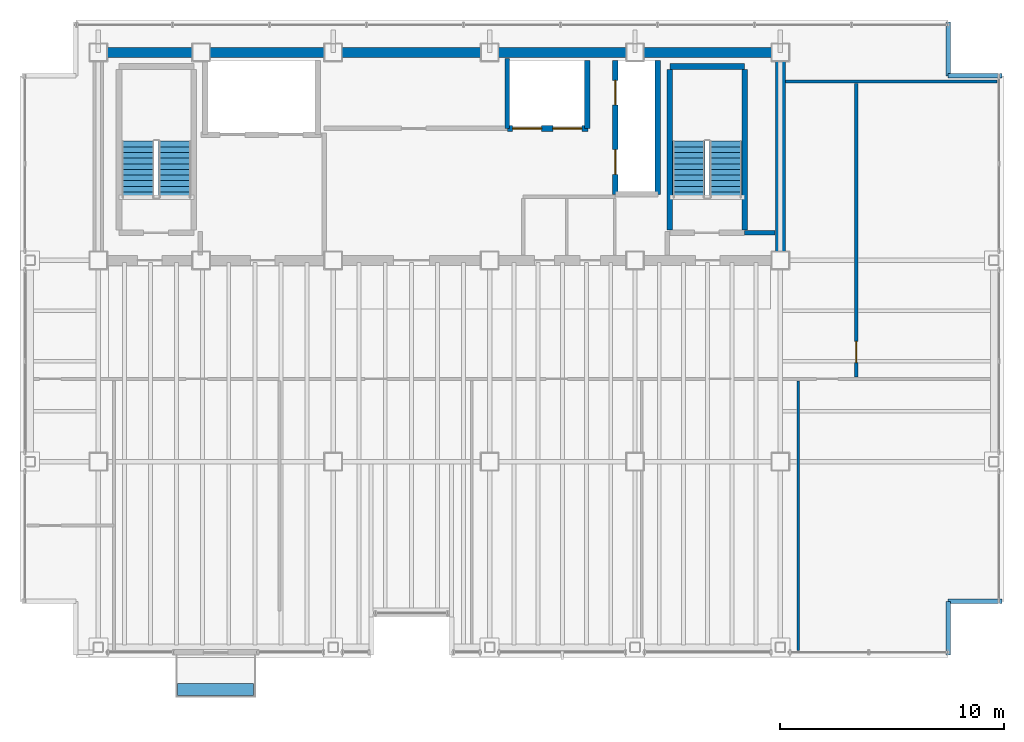
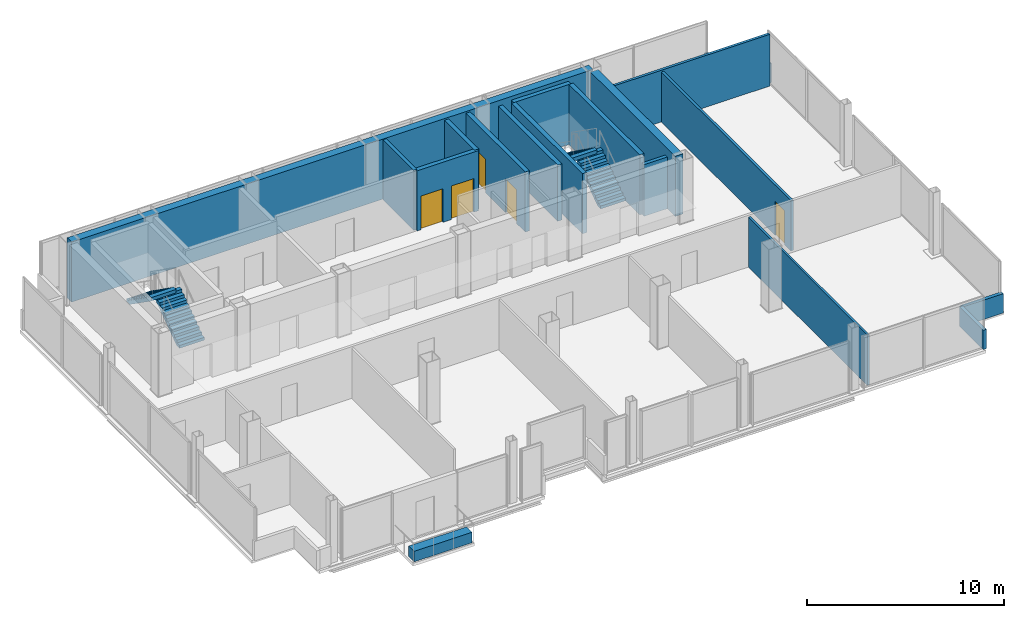
# One storey, part 14 of 15: 18 walls, 5 doors, 4 stair flights, 1 discrete accessory, 5 openings, 2 elements without a shape of their own.
"""IFC4 building model written with IfcOpenShell, lengths in metres."""

from ifc_helpers import new_model, si_unit, direction, frame, frame_2d, origin, origin_2d, place, context, subcontext, project, spatial, polyline, rectangle, outline, extrude, material, layer, layer_set, type_object, element, fill, aggregate, save


model = new_model("IFC4")

# Units and contexts
model_context = context("Model", 3, precision=1e-05, world=origin(), true_north=direction((0.0, 1.0)))
body_context = subcontext(model_context, "Body", "Model", "MODEL_VIEW")
ifc_project = project(units=[si_unit("LENGTHUNIT", "METRE"), si_unit("AREAUNIT", "SQUARE_METRE"), si_unit("VOLUMEUNIT", "CUBIC_METRE"), si_unit("PLANEANGLEUNIT", "RADIAN"), si_unit("MASSUNIT", "GRAM", prefix="KILO")], contexts=[model_context])

# Site, building, storey
site_placement = place(None, origin())
site = spatial("IfcSite", under=ifc_project, at=site_placement, CompositionType="ELEMENT")
building_placement = place(site_placement, origin())
building = spatial("IfcBuilding", under=site, at=building_placement, Name="Noeulbin Bourse Tower", CompositionType="ELEMENT")
storey_placement = place(building_placement, frame((0.0, 0.0, 215.0)))
storey = spatial("IfcBuildingStorey", under=building, at=storey_placement, Name="L53", CompositionType="ELEMENT", Elevation=215.0)

# Walls
ifc_material_1 = material(Name="Concrete C50/60", Category="concrete")
ifc_layer_1 = layer(ifc_material_1, 0.449951171875)
ifc_layer_set_1 = layer_set([ifc_layer_1], Name="Concrete C50/60")
wall_type_1 = type_object("IfcWallType", Name="WAL-CORE-450", PredefinedType="SHEAR", material=ifc_layer_set_1)
wall_1_placement = place(storey_placement, frame((13.5, 38.300048828125, 0.0), z_axis=(0.0, 0.0, 1.0), x_axis=(1.0, 0.0, 0.0)))
element("IfcWall", 1, at=wall_1_placement, inside=storey, type_object=wall_type_1, Name="Rear Core North Shear Wall L53", PredefinedType="SHEAR", context=body_context, shape_type="SweptSolid", body=[
    extrude(rectangle(XDim=30.5, YDim=0.449951171875, at=frame_2d((15.25, 0.0))), origin(), (0.0, 0.0, 1.0), 3.719970703125),
])
wall_2_placement = place(storey_placement, frame((44.0, 29.35009765625, 0.0), z_axis=(0.0, 0.0, 1.0), x_axis=(0.0, 1.0, 0.0)))
element("IfcWall", 2, at=wall_2_placement, inside=storey, type_object=wall_type_1, Name="Rear Core East Shear Wall L53", PredefinedType="SHEAR", context=body_context, shape_type="SweptSolid", body=[
    extrude(rectangle(XDim=8.599853515625, YDim=0.449951171875, at=frame_2d((4.2998046875, 0.0))), origin(), (0.0, 0.0, 1.0), 3.719970703125),
])
ifc_material_2 = material(Name="Concrete C40/50", Category="concrete")
ifc_layer_2 = layer(ifc_material_2, 0.199951171875)
ifc_layer_set_2 = layer_set([ifc_layer_2], Name="Concrete C40/50")
wall_type_2 = type_object("IfcWallType", Name="WAL-FIRE-200", PredefinedType="STANDARD", material=ifc_layer_set_2)
wall_3_placement = place(storey_placement, frame((42.39990234375, 30.239990234375, 0.0), z_axis=(0.0, 0.0, 1.0), x_axis=(1.0, 0.0, 0.0)))
element("IfcWall", 3, at=wall_3_placement, inside=storey, type_object=wall_type_2, Name="Interior Partition Wall L53-01", PredefinedType="STANDARD", context=body_context, shape_type="SweptSolid", body=[
    extrude(rectangle(XDim=1.364990234375, YDim=0.199951171875, at=frame_2d((0.6826171875, 0.0))), origin(), (0.0, 0.0, 1.0), 3.199951171875),
])
ifc_layer_3 = layer(ifc_material_2, 0.199951171875)
ifc_layer_set_3 = layer_set([ifc_layer_3], Name="Concrete C40/50")
wall_type_3 = type_object("IfcWallType", Name="WAL-PAR-200", PredefinedType="PARAPET", material=ifc_layer_set_3)
for number, where, z_axis, x_axis, name in (
    (4, (51.5, 11.35009765625, 0.0), (0.0, 0.0, 1.0), (0.0, 1.0, 0.0), "Corner Notch Parapet L53-SE1"),
    (5, (51.5, 13.75, 0.0), (0.0, 0.0, 1.0), (1.0, 0.0, 0.0), "Corner Notch Parapet L53-SE2"),
    (6, (51.5, 39.64990234375, 0.0), (0.0, 0.0, 1.0), (0.0, -1.0, 0.0), "Corner Notch Parapet L53-NE1"),
    (7, (51.5, 37.25, 0.0), (0.0, 0.0, 1.0), (1.0, 0.0, 0.0), "Corner Notch Parapet L53-NE2"),
):
    element("IfcWall", number, at=place(storey_placement, frame(where, z_axis=z_axis, x_axis=x_axis)), inside=storey, type_object=wall_type_3, Name=name, PredefinedType="PARAPET", context=body_context, shape_type="SweptSolid", body=[
        extrude(rectangle(XDim=2.39990234375, YDim=0.199951171875, at=frame_2d((1.199951171875, 0.0))), origin(), (0.0, 0.0, 1.0), 1.199951171875),
    ])
ifc_material_3 = material(Name="Steel Stud Gypsum Partition", Category="steel")
ifc_layer_4 = layer(ifc_material_3, 0.1201171875)
ifc_layer_set_4 = layer_set([ifc_layer_4], Name="Steel Stud Gypsum Partition")
wall_type_4 = type_object("IfcWallType", Name="WAL-PRT-120", PredefinedType="PARTITIONING", material=ifc_layer_set_4)
wall_4_placement = place(storey_placement, frame((44.800048828125, 11.56005859375, 0.0), z_axis=(0.0, 0.0, 1.0), x_axis=(0.0, 1.0, 0.0)))
element("IfcWall", 8, at=wall_4_placement, inside=storey, type_object=wall_type_4, Name="Interior Partition Wall L53-18", PredefinedType="PARTITIONING", context=body_context, shape_type="SweptSolid", body=[
    extrude(rectangle(XDim=12.054931640625, YDim=0.1201171875, at=frame_2d((6.02734375, 0.0))), origin(), (0.0, 0.0, 1.0), 3.10009765625),
])
ifc_material_4 = material(Name="Steel Stud Acoustic Gypsum Board", Category="steel")
ifc_layer_5 = layer(ifc_material_4, 0.14990234375)
ifc_layer_set_5 = layer_set([ifc_layer_5], Name="Steel Stud Acoustic Gypsum Board")
wall_type_5 = type_object("IfcWallType", Name="WAL-PRT-150", PredefinedType="PARTITIONING", material=ifc_layer_set_5)
wall_5_placement = place(storey_placement, frame((44.235107421875, 37.0, 0.0), z_axis=(0.0, 0.0, 1.0), x_axis=(1.0, 0.0, 0.0)))
element("IfcWall", 9, at=wall_5_placement, inside=storey, type_object=wall_type_5, Name="Interior Partition Wall L53-05", PredefinedType="PARTITIONING", context=body_context, shape_type="SweptSolid", body=[
    extrude(rectangle(XDim=9.454833984375, YDim=0.14990234375, at=frame_2d((4.7275390625, 0.0))), origin(), (0.0, 0.0, 1.0), 3.199951171875),
])

# Wall, opening, door
wall_6_placement = place(storey_placement, frame((47.39990234375, 23.784912109375, 0.0), z_axis=(0.0, 0.0, 1.0), x_axis=(0.0, 1.0, 0.0)))
wall_6 = element("IfcWall", 10, at=wall_6_placement, inside=storey, type_object=wall_type_5, Name="Interior Partition Wall L53-13", PredefinedType="PARTITIONING", context=body_context, shape_type="SweptSolid", body=[
    extrude(rectangle(XDim=13.130126953125, YDim=0.14990234375, at=frame_2d((6.56494140625, 0.0))), origin(), (0.0, 0.0, 1.0), 3.10009765625),
])
opening_1_placement = place(wall_6_placement, frame((0.639892578125, 0.0, 0.0)))
opening_1 = element("IfcOpeningElement", 11, at=opening_1_placement, cuts=wall_6, Name="Opening ID-09", PredefinedType="OPENING", context=body_context, shape_type="SweptSolid", body=[
    extrude(rectangle(XDim=0.949951171875, YDim=2.080078125, at=frame_2d((0.47509765625, 1.0400390625))), frame((0.0, 0.0849609375, 0.0), z_axis=(0.0, -1.0, 0.0), x_axis=(1.0, 0.0, 0.0)), (0.0, 0.0, 1.0), 0.169921875),
])
ifc_material_5 = material(Name="Acoustic Solid-Core Timber", Category="wood")
door_type_1 = type_object("IfcDoorType", Name="DR-SINGLE-950", OperationType="SINGLE_SWING_LEFT", PredefinedType="DOOR", material=ifc_material_5)
door_1_placement = place(opening_1_placement, origin())
door_1 = element("IfcDoor", 12, at=door_1_placement, inside=storey, type_object=door_type_1, Name="Interior Door L53-15", OperationType="SINGLE_SWING_RIGHT", OverallHeight=2.080078125, OverallWidth=0.949951171875, PredefinedType="DOOR", context=body_context, shape_type="SweptSolid", body=[
    extrude(rectangle(XDim=0.949951171875, YDim=2.080078125, at=frame_2d((0.47509765625, 1.0400390625))), frame((0.0, 0.02490234375, 0.0), z_axis=(0.0, -1.0, 0.0), x_axis=(1.0, 0.0, 0.0)), (0.0, 0.0, 1.0), 0.050048828125),
])
fill(opening_1, door_1)

# Walls
ifc_layer_6 = layer(ifc_material_2, 0.25)
ifc_layer_set_6 = layer_set([ifc_layer_6], Name="Concrete C40/50")
wall_type_6 = type_object("IfcWallType", Name="WAL-SHFT-250", PredefinedType="STANDARD", material=ifc_layer_set_6)
wall_7_placement = place(storey_placement, frame((39.06005859375, 37.6689453125, 0.0), z_axis=(0.0, 0.0, 1.0), x_axis=(1.0, 0.0, 0.0)))
element("IfcWall", 13, at=wall_7_placement, inside=storey, type_object=wall_type_6, Name="Stair ST-2 North Shaft Wall L53", PredefinedType="STANDARD", context=body_context, shape_type="SweptSolid", body=[
    extrude(rectangle(XDim=3.33984375, YDim=0.25, at=frame_2d((1.669921875, 0.0))), origin(), (0.0, 0.0, 1.0), 3.719970703125),
])
for number, where, z_axis, x_axis, name in (
    (14, (39.054931640625, 30.360107421875, 0.0), (0.0, 0.0, 1.0), (0.0, 1.0, 0.0), "Stair ST-2 West Shaft Wall L53"),
    (15, (42.405029296875, 30.360107421875, 0.0), (0.0, 0.0, 1.0), (0.0, 1.0, 0.0), "Stair ST-2 East Shaft Wall L53"),
):
    element("IfcWall", number, at=place(storey_placement, frame(where, z_axis=z_axis, x_axis=x_axis)), inside=storey, type_object=wall_type_6, Name=name, PredefinedType="STANDARD", context=body_context, shape_type="SweptSolid", body=[
        extrude(rectangle(XDim=7.183837890625, YDim=0.25, at=frame_2d((3.591796875, 0.0))), origin(), (0.0, 0.0, 1.0), 3.719970703125),
    ])

# Wall, openings, doors
wall_8_placement = place(storey_placement, frame((36.6201171875, 31.949951171875, 0.0), z_axis=(0.0, 0.0, 1.0), x_axis=(0.0, 1.0, 0.0)))
wall_8 = element("IfcWall", 16, at=wall_8_placement, inside=storey, type_object=wall_type_6, Name="Service Lift Shaft Wall L53", PredefinedType="STANDARD", context=body_context, shape_type="SweptSolid", body=[
    extrude(rectangle(XDim=6.0, YDim=0.25, at=frame_2d((3.0, 0.0))), origin(), (0.0, 0.0, 1.0), 3.719970703125),
])
opening_2_placement = place(wall_8_placement, frame((0.89990234375, 0.0, 0.0)))
opening_2 = element("IfcOpeningElement", 17, at=opening_2_placement, cuts=wall_8, Name="Opening LD-11", PredefinedType="OPENING", context=body_context, shape_type="SweptSolid", body=[
    extrude(rectangle(XDim=1.10009765625, YDim=2.080078125, at=frame_2d((0.550048828125, 1.0400390625))), frame((0.0, 0.135009765625, 0.0), z_axis=(0.0, -1.0, 0.0), x_axis=(1.0, 0.0, 0.0)), (0.0, 0.0, 1.0), 0.27001953125),
])
opening_3_placement = place(wall_8_placement, frame((4.0, 0.0, 0.0)))
opening_3 = element("IfcOpeningElement", 18, at=opening_3_placement, cuts=wall_8, Name="Opening LD-11", PredefinedType="OPENING", context=body_context, shape_type="SweptSolid", body=[
    extrude(rectangle(XDim=1.10009765625, YDim=2.080078125, at=frame_2d((0.550048828125, 1.0400390625))), frame((0.0, 0.135009765625, 0.0), z_axis=(0.0, -1.0, 0.0), x_axis=(1.0, 0.0, 0.0)), (0.0, 0.0, 1.0), 0.27001953125),
])
ifc_material_6 = material(Name="Brushed Stainless Steel 316", Category="steel")
door_type_2 = type_object("IfcDoorType", Name="DR-LIFT-1100", OperationType="SLIDING_TO_LEFT", PredefinedType="DOOR", material=ifc_material_6)
door_2_placement = place(opening_2_placement, origin())
door_2 = element("IfcDoor", 19, at=door_2_placement, inside=storey, type_object=door_type_2, Name="Lift Landing Door LD-EL-01-L53", OperationType="SLIDING_TO_LEFT", OverallHeight=2.080078125, OverallWidth=1.10009765625, PredefinedType="DOOR", context=body_context, shape_type="SweptSolid", body=[
    extrude(rectangle(XDim=1.10009765625, YDim=2.080078125, at=frame_2d((0.550048828125, 1.0400390625))), frame((0.0, 0.02490234375, 0.0), z_axis=(0.0, -1.0, 0.0), x_axis=(1.0, 0.0, 0.0)), (0.0, 0.0, 1.0), 0.050048828125),
])
fill(opening_2, door_2)
door_3_placement = place(opening_3_placement, origin())
door_3 = element("IfcDoor", 20, at=door_3_placement, inside=storey, type_object=door_type_2, Name="Lift Landing Door LD-SV-01-L53", OperationType="SLIDING_TO_LEFT", OverallHeight=2.080078125, OverallWidth=1.10009765625, PredefinedType="DOOR", context=body_context, shape_type="SweptSolid", body=[
    extrude(rectangle(XDim=1.10009765625, YDim=2.080078125, at=frame_2d((0.550048828125, 1.0400390625))), frame((0.0, 0.02490234375, 0.0), z_axis=(0.0, -1.0, 0.0), x_axis=(1.0, 0.0, 0.0)), (0.0, 0.0, 1.0), 0.050048828125),
])
fill(opening_3, door_3)

# Walls
wall_9_placement = place(storey_placement, frame((38.52001953125, 31.949951171875, 0.0), z_axis=(0.0, 0.0, 1.0), x_axis=(0.0, 1.0, 0.0)))
element("IfcWall", 21, at=wall_9_placement, inside=storey, type_object=wall_type_6, Name="Service Lift East Shaft Wall L53", PredefinedType="STANDARD", context=body_context, shape_type="SweptSolid", body=[
    extrude(rectangle(XDim=6.0, YDim=0.25, at=frame_2d((3.0, 0.0))), origin(), (0.0, 0.0, 1.0), 3.47998046875),
])
wall_10_placement = place(storey_placement, frame((35.360107421875, 34.89990234375, 0.0), z_axis=(0.0, 0.0, 1.0), x_axis=(0.0, 1.0, 0.0)))
element("IfcWall", 22, at=wall_10_placement, inside=storey, type_object=wall_type_6, Name="High-Rise Lift East Shaft Wall L53", PredefinedType="STANDARD", context=body_context, shape_type="SweptSolid", body=[
    extrude(rectangle(XDim=3.050048828125, YDim=0.25, at=frame_2d((1.52490234375, 0.0))), origin(), (0.0, 0.0, 1.0), 3.719970703125),
])

# Wall, openings, doors
wall_11_placement = place(storey_placement, frame((31.800048828125, 34.89990234375, 0.0), z_axis=(0.0, 0.0, 1.0), x_axis=(1.0, 0.0, 0.0)))
wall_11 = element("IfcWall", 23, at=wall_11_placement, inside=storey, type_object=wall_type_6, Name="High-Rise Lift Bank Front L53", PredefinedType="STANDARD", context=body_context, shape_type="SweptSolid", body=[
    extrude(rectangle(XDim=3.599853515625, YDim=0.25, at=frame_2d((1.7998046875, 0.0))), origin(), (0.0, 0.0, 1.0), 3.719970703125),
])
opening_4_placement = place(wall_11_placement, frame((0.22998046875, 0.0, 0.0)))
opening_4 = element("IfcOpeningElement", 24, at=opening_4_placement, cuts=wall_11, Name="Opening LD-13", PredefinedType="OPENING", context=body_context, shape_type="SweptSolid", body=[
    extrude(rectangle(XDim=1.300048828125, YDim=2.080078125, at=frame_2d((0.64990234375, 1.0400390625))), frame((0.0, 0.135009765625, 0.0), z_axis=(0.0, -1.0, 0.0), x_axis=(1.0, 0.0, 0.0)), (0.0, 0.0, 1.0), 0.27001953125),
])
opening_5_placement = place(wall_11_placement, frame((2.030029296875, 0.0, 0.0)))
opening_5 = element("IfcOpeningElement", 25, at=opening_5_placement, cuts=wall_11, Name="Opening LD-13", PredefinedType="OPENING", context=body_context, shape_type="SweptSolid", body=[
    extrude(rectangle(XDim=1.300048828125, YDim=2.080078125, at=frame_2d((0.64990234375, 1.0400390625))), frame((0.0, 0.135009765625, 0.0), z_axis=(0.0, -1.0, 0.0), x_axis=(1.0, 0.0, 0.0)), (0.0, 0.0, 1.0), 0.27001953125),
])
door_type_3 = type_object("IfcDoorType", Name="DR-LIFT-1300", OperationType="DOUBLE_DOOR_SLIDING", PredefinedType="DOOR", material=ifc_material_6)
door_4_placement = place(opening_4_placement, origin())
door_4 = element("IfcDoor", 26, at=door_4_placement, inside=storey, type_object=door_type_3, Name="Lift Landing Door LD-PL-H1-L53", OperationType="DOUBLE_DOOR_SLIDING", OverallHeight=2.080078125, OverallWidth=1.300048828125, PredefinedType="DOOR", context=body_context, shape_type="SweptSolid", body=[
    extrude(rectangle(XDim=1.300048828125, YDim=2.080078125, at=frame_2d((0.64990234375, 1.0400390625))), frame((0.0, 0.02490234375, 0.0), z_axis=(0.0, -1.0, 0.0), x_axis=(1.0, 0.0, 0.0)), (0.0, 0.0, 1.0), 0.050048828125),
])
fill(opening_4, door_4)
door_5_placement = place(opening_5_placement, origin())
door_5 = element("IfcDoor", 27, at=door_5_placement, inside=storey, type_object=door_type_3, Name="Lift Landing Door LD-PL-H2-L53", OperationType="DOUBLE_DOOR_SLIDING", OverallHeight=2.080078125, OverallWidth=1.300048828125, PredefinedType="DOOR", context=body_context, shape_type="SweptSolid", body=[
    extrude(rectangle(XDim=1.300048828125, YDim=2.080078125, at=frame_2d((0.64990234375, 1.0400390625))), frame((0.0, 0.02490234375, 0.0), z_axis=(0.0, -1.0, 0.0), x_axis=(1.0, 0.0, 0.0)), (0.0, 0.0, 1.0), 0.050048828125),
])
fill(opening_5, door_5)

# Wall
wall_12_placement = place(storey_placement, frame((31.780029296875, 34.89990234375, 0.0), z_axis=(0.0, 0.0, 1.0), x_axis=(0.0, 1.0, 0.0)))
element("IfcWall", 28, at=wall_12_placement, inside=storey, type_object=wall_type_6, Name="Hoistway Side Shaft Wall L53-PLHW", PredefinedType="STANDARD", context=body_context, shape_type="SweptSolid", body=[
    extrude(rectangle(XDim=3.1201171875, YDim=0.199951171875, at=frame_2d((1.56005859375, 0.0))), origin(), (0.0, 0.0, 1.0), 3.719970703125),
])

# Stair, stair flights
stair_type = type_object("IfcStairType", Name="STR-CORE-1560", PredefinedType="HALF_TURN_STAIR", material=ifc_material_2)
stair_1_placement = place(storey_placement, origin())
stair_1 = element("IfcStair", 29, at=stair_1_placement, inside=storey, type_object=stair_type, Name="L53 ST-1", PredefinedType="HALF_TURN_STAIR")
stair_flight_type = type_object("IfcStairFlightType", Name="SFL-CORE-1560", PredefinedType="STRAIGHT", material=ifc_material_2)
stair_flight_1_placement = place(storey_placement, frame((16.925048828125, 31.81005859375, 0.0), z_axis=(0.0, 0.0, 1.0), x_axis=(0.0, 1.0, 0.0)))
stair_flight_1 = element("IfcStairFlight", 30, at=stair_flight_1_placement, type_object=stair_flight_type, Name="ST-1 flight 1", NumberOfRisers=11, NumberOfTreads=10, PredefinedType="STRAIGHT", RiserHeight=0.177272727, TreadLength=0.252, context=body_context, shape_type="SweptSolid", body=[
    extrude(outline(polyline([(0.0, 0.0), (0.0, 0.17724609375), (0.251953125, 0.17724609375), (0.251953125, 0.3544921875), (0.50390625, 0.3544921875), (0.50390625, 0.53173828125), (0.756103515625, 0.53173828125), (0.756103515625, 0.708984375), (1.008056640625, 0.708984375), (1.008056640625, 0.886474609375), (1.260009765625, 0.886474609375), (1.260009765625, 1.063720703125), (1.511962890625, 1.063720703125), (1.511962890625, 1.240966796875), (1.763916015625, 1.240966796875), (1.763916015625, 1.418212890625), (2.01611328125, 1.418212890625), (2.01611328125, 1.595458984375), (2.26806640625, 1.595458984375), (2.26806640625, 1.772705078125), (2.52001953125, 1.772705078125), (2.52001953125, 1.949951171875), (2.52001953125, 1.552734375), (0.312744140625, 0.0), (0.0, 0.0)])), frame((0.0, 0.72509765625, 0.0), z_axis=(0.0, -1.0, 0.0), x_axis=(1.0, 0.0, 0.0)), (0.0, 0.0, 1.0), 1.449951171875),
])
stair_flight_2_placement = place(storey_placement, frame((15.27490234375, 34.330078125, 1.949951171875), z_axis=(0.0, 0.0, 1.0), x_axis=(0.0, -1.0, 0.0)))
stair_flight_2 = element("IfcStairFlight", 31, at=stair_flight_2_placement, type_object=stair_flight_type, Name="ST-1 flight 2", NumberOfRisers=11, NumberOfTreads=10, PredefinedType="STRAIGHT", RiserHeight=0.177272727, TreadLength=0.252, context=body_context, shape_type="SweptSolid", body=[
    extrude(outline(polyline([(0.0, 0.0), (0.0, 0.17724609375), (0.251953125, 0.17724609375), (0.251953125, 0.3544921875), (0.50390625, 0.3544921875), (0.50390625, 0.53173828125), (0.756103515625, 0.53173828125), (0.756103515625, 0.708984375), (1.008056640625, 0.708984375), (1.008056640625, 0.886474609375), (1.260009765625, 0.886474609375), (1.260009765625, 1.063720703125), (1.511962890625, 1.063720703125), (1.511962890625, 1.240966796875), (1.763916015625, 1.240966796875), (1.763916015625, 1.418212890625), (2.01611328125, 1.418212890625), (2.01611328125, 1.595458984375), (2.26806640625, 1.595458984375), (2.26806640625, 1.772705078125), (2.52001953125, 1.772705078125), (2.52001953125, 1.949951171875), (2.52001953125, 1.552734375), (0.312744140625, 0.0), (0.0, 0.0)])), frame((0.0, 0.72509765625, 0.0), z_axis=(0.0, -1.0, 0.0), x_axis=(1.0, 0.0, 0.0)), (0.0, 0.0, 1.0), 1.449951171875),
])
aggregate(stair_1, [stair_flight_1, stair_flight_2])

stair_2_placement = place(storey_placement, origin())
stair_2 = element("IfcStair", 32, at=stair_2_placement, inside=storey, type_object=stair_type, Name="L53 ST-2", PredefinedType="HALF_TURN_STAIR")
stair_flight_3_placement = place(storey_placement, frame((41.554931640625, 31.81005859375, 0.0), z_axis=(0.0, 0.0, 1.0), x_axis=(0.0, 1.0, 0.0)))
stair_flight_3 = element("IfcStairFlight", 33, at=stair_flight_3_placement, type_object=stair_flight_type, Name="ST-2 flight 1", NumberOfRisers=11, NumberOfTreads=10, PredefinedType="STRAIGHT", RiserHeight=0.177272727, TreadLength=0.252, context=body_context, shape_type="SweptSolid", body=[
    extrude(outline(polyline([(0.0, 0.0), (0.0, 0.17724609375), (0.251953125, 0.17724609375), (0.251953125, 0.3544921875), (0.50390625, 0.3544921875), (0.50390625, 0.53173828125), (0.756103515625, 0.53173828125), (0.756103515625, 0.708984375), (1.008056640625, 0.708984375), (1.008056640625, 0.886474609375), (1.260009765625, 0.886474609375), (1.260009765625, 1.063720703125), (1.511962890625, 1.063720703125), (1.511962890625, 1.240966796875), (1.763916015625, 1.240966796875), (1.763916015625, 1.418212890625), (2.01611328125, 1.418212890625), (2.01611328125, 1.595458984375), (2.26806640625, 1.595458984375), (2.26806640625, 1.772705078125), (2.52001953125, 1.772705078125), (2.52001953125, 1.949951171875), (2.52001953125, 1.552734375), (0.312744140625, 0.0), (0.0, 0.0)])), frame((0.0, 0.72509765625, 0.0), z_axis=(0.0, -1.0, 0.0), x_axis=(1.0, 0.0, 0.0)), (0.0, 0.0, 1.0), 1.449951171875),
])
stair_flight_4_placement = place(storey_placement, frame((39.905029296875, 34.330078125, 1.949951171875), z_axis=(0.0, 0.0, 1.0), x_axis=(0.0, -1.0, 0.0)))
stair_flight_4 = element("IfcStairFlight", 34, at=stair_flight_4_placement, type_object=stair_flight_type, Name="ST-2 flight 2", NumberOfRisers=11, NumberOfTreads=10, PredefinedType="STRAIGHT", RiserHeight=0.177272727, TreadLength=0.252, context=body_context, shape_type="SweptSolid", body=[
    extrude(outline(polyline([(0.0, 0.0), (0.0, 0.17724609375), (0.251953125, 0.17724609375), (0.251953125, 0.3544921875), (0.50390625, 0.3544921875), (0.50390625, 0.53173828125), (0.756103515625, 0.53173828125), (0.756103515625, 0.708984375), (1.008056640625, 0.708984375), (1.008056640625, 0.886474609375), (1.260009765625, 0.886474609375), (1.260009765625, 1.063720703125), (1.511962890625, 1.063720703125), (1.511962890625, 1.240966796875), (1.763916015625, 1.240966796875), (1.763916015625, 1.418212890625), (2.01611328125, 1.418212890625), (2.01611328125, 1.595458984375), (2.26806640625, 1.595458984375), (2.26806640625, 1.772705078125), (2.52001953125, 1.772705078125), (2.52001953125, 1.949951171875), (2.52001953125, 1.552734375), (0.312744140625, 0.0), (0.0, 0.0)])), frame((0.0, 0.72509765625, 0.0), z_axis=(0.0, -1.0, 0.0), x_axis=(1.0, 0.0, 0.0)), (0.0, 0.0, 1.0), 1.449951171875),
])
aggregate(stair_2, [stair_flight_3, stair_flight_4])

# Discrete accessory
ifc_material_7 = material(Name="Architectural GFRC Concrete C40/50", Category="concrete")
ifc_layer_7 = layer(ifc_material_7, 0.64990234375)
ifc_layer_set_7 = layer_set([ifc_layer_7], Name="Architectural GFRC Concrete C40/50")
discrete_accessory_type = type_object("IfcDiscreteAccessoryType", Name="PLANTER-BOX-3600", PredefinedType="USERDEFINED", material=ifc_layer_set_7)
discrete_accessory_placement = place(storey_placement, frame((18.75, 9.81005859375, 0.0), z_axis=(0.0, 0.0, 1.0), x_axis=(1.0, 0.0, 0.0)))
element("IfcDiscreteAccessory", 35, at=discrete_accessory_placement, inside=storey, type_object=discrete_accessory_type, Name="Integrated Balcony Tree Planter Box L53", ObjectType="PLANTER", PredefinedType="USERDEFINED", context=body_context, shape_type="SweptSolid", body=[
    extrude(rectangle(XDim=3.39990234375, YDim=0.550048828125, at=origin_2d()), origin(), (0.0, 0.0, 1.0), 0.64990234375),
])

save(model, "model.ifc")
